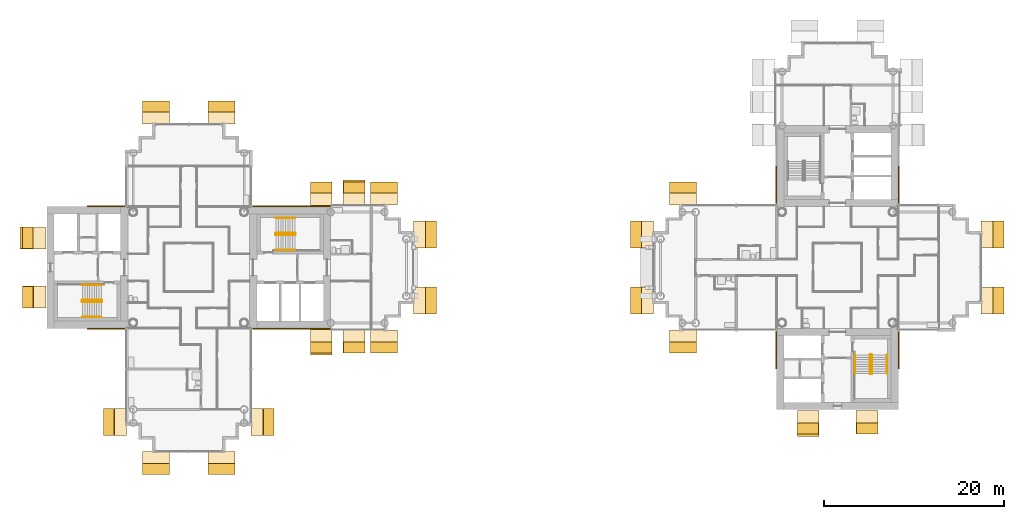
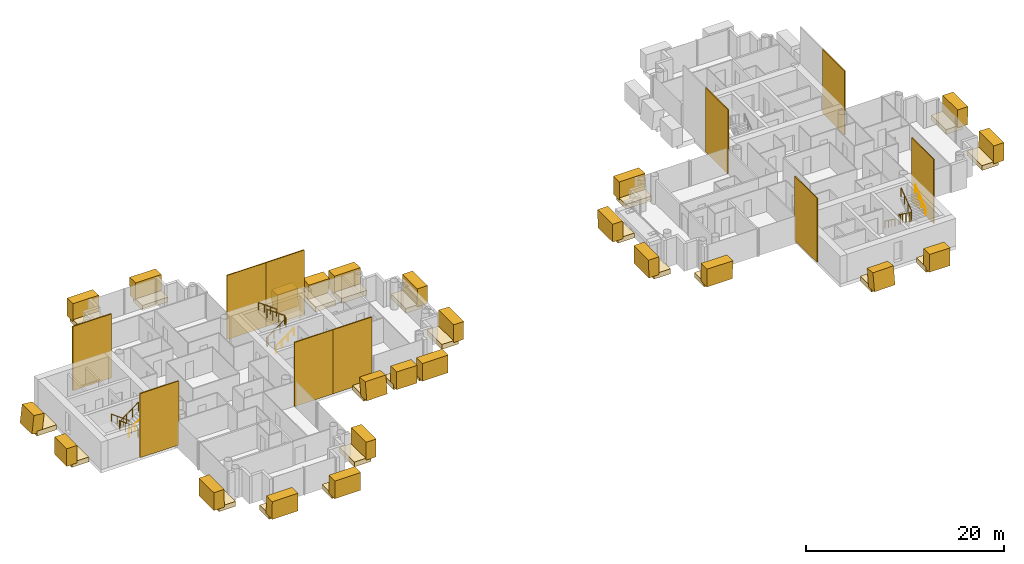
# One storey, part 16 of 18: 58 coverings, 9 railings.
"""IFC4 building model written with IfcOpenShell, lengths in metres."""

from ifc_helpers import new_model, si_unit, direction, frame, origin, origin_2d, place, context, subcontext, project, spatial, rectangle, circle, extrude, material, layer, layer_set, material_profile, profile_set, type_object, element, save


model = new_model("IFC4")

# Units and contexts
model_context = context("Model", 3, precision=1e-05, world=origin(), true_north=direction((0.0, 1.0)))
body_context = subcontext(model_context, "Body", "Model", "MODEL_VIEW")
ifc_project = project(units=[si_unit("LENGTHUNIT", "METRE"), si_unit("AREAUNIT", "SQUARE_METRE"), si_unit("VOLUMEUNIT", "CUBIC_METRE"), si_unit("PLANEANGLEUNIT", "RADIAN"), si_unit("MASSUNIT", "GRAM", prefix="KILO")], contexts=[model_context])

# Site, building, storey
site_placement = place(None, origin())
site = spatial("IfcSite", under=ifc_project, at=site_placement, CompositionType="ELEMENT")
building_placement = place(site_placement, origin())
building = spatial("IfcBuilding", under=site, at=building_placement, Name="Ipe Terrace Towers", CompositionType="ELEMENT")
storey_placement = place(building_placement, frame((0.0, 0.0, 177.89990234375)))
storey = spatial("IfcBuildingStorey", under=building, at=storey_placement, Name="L49", CompositionType="ELEMENT", Elevation=177.89990234375)

# Coverings
ifc_material_1 = material(Name="Concrete C50/60 precast, buff finish", Category="concrete")
ifc_layer = layer(ifc_material_1, 0.1201171875)
ifc_layer_set = layer_set([ifc_layer], Name="STONE CORE CLADDING 120")
covering_type_1 = type_object("IfcCoveringType", Name="STONE CORE CLADDING 120", PredefinedType="CLADDING", material=ifc_layer_set)
for number, where, z_axis, x_axis, name in (
    (1, (-45.0, -6.81005859375, 0.000244140625), (0.0, 0.0, 1.0), (1.0, 0.0, 0.0), "stone core cladding"),
    (2, (-45.0, 6.81005859375, 0.000244140625), (0.0, 0.0, 1.0), (-1.0, 0.0, 0.0), "stone core cladding"),
    (3, (-27.0, -6.81005859375, 0.000244140625), (0.0, 0.0, 1.0), (1.0, 0.0, 0.0), "stone core cladding"),
):
    element("IfcCovering", number, at=place(storey_placement, frame(where, z_axis=z_axis, x_axis=x_axis)), inside=storey, type_object=covering_type_1, Name=name, PredefinedType="CLADDING", context=body_context, shape_type="SweptSolid", body=[
        extrude(rectangle(XDim=4.5, YDim=0.1201171875, at=origin_2d()), origin(), (0.0, 0.0, 1.0), 7.89990234375),
    ])
covering_1_placement = place(storey_placement, frame((-22.4990234375, -6.81005859375, 0.000244140625), z_axis=(0.0, 0.0, 1.0), x_axis=(1.0, 0.0, 0.0)))
element("IfcCovering", 4, at=covering_1_placement, inside=storey, type_object=covering_type_1, Name="stone core cladding", PredefinedType="CLADDING", context=body_context, shape_type="SweptSolid", body=[
    extrude(rectangle(XDim=4.5009765625, YDim=0.1201171875, at=origin_2d()), origin(), (0.0, 0.0, 1.0), 7.89990234375),
])
covering_2_placement = place(storey_placement, frame((-27.0, 6.81005859375, 0.000244140625), z_axis=(0.0, 0.0, 1.0), x_axis=(-1.0, 0.0, 0.0)))
element("IfcCovering", 5, at=covering_2_placement, inside=storey, type_object=covering_type_1, Name="stone core cladding", PredefinedType="CLADDING", context=body_context, shape_type="SweptSolid", body=[
    extrude(rectangle(XDim=4.5, YDim=0.1201171875, at=origin_2d()), origin(), (0.0, 0.0, 1.0), 7.89990234375),
])
covering_3_placement = place(storey_placement, frame((-22.4990234375, 6.81005859375, 0.000244140625), z_axis=(0.0, 0.0, 1.0), x_axis=(-1.0, 0.0, 0.0)))
element("IfcCovering", 6, at=covering_3_placement, inside=storey, type_object=covering_type_1, Name="stone core cladding", PredefinedType="CLADDING", context=body_context, shape_type="SweptSolid", body=[
    extrude(rectangle(XDim=4.5009765625, YDim=0.1201171875, at=origin_2d()), origin(), (0.0, 0.0, 1.0), 7.89990234375),
])
for number, where, z_axis, x_axis, name in (
    (7, (29.18994140625, -9.0, 0.000244140625), (0.0, 0.0, 1.0), (0.0, -1.0, 0.0), "stone core cladding"),
    (8, (29.18994140625, 9.0, 0.000244140625), (0.0, 0.0, 1.0), (0.0, -1.0, 0.0), "stone core cladding"),
    (9, (42.81005859375, -9.0, 0.000244140625), (0.0, 0.0, 1.0), (0.0, 1.0, 0.0), "stone core cladding"),
    (10, (42.81005859375, 9.0, 0.000244140625), (0.0, 0.0, 1.0), (0.0, 1.0, 0.0), "stone core cladding"),
):
    element("IfcCovering", number, at=place(storey_placement, frame(where, z_axis=z_axis, x_axis=x_axis)), inside=storey, type_object=covering_type_1, Name=name, PredefinedType="CLADDING", context=body_context, shape_type="SweptSolid", body=[
        extrude(rectangle(XDim=4.5, YDim=0.1201171875, at=origin_2d()), origin(), (0.0, 0.0, 1.0), 7.89990234375),
    ])
ifc_material_2 = material(Name="Concrete C50/60 precast, buff finish", Category="concrete")
ifc_material_profile_1 = material_profile(ifc_material_2, rectangle(XDim=2.39990234375, YDim=1.199951171875, at=origin_2d()), Name="STONE FIN 2400 x 1200")
ifc_profile_set_1 = profile_set([ifc_material_profile_1], Name="Concrete C50/60 precast, buff finish")
covering_type_2 = type_object("IfcCoveringType", Name="STONE FIN 2400 x 1200", PredefinedType="USERDEFINED", material=ifc_profile_set_1)
covering_4_placement = place(storey_placement, frame((-21.282958984375, -9.1279296875, 0.0), z_axis=(-0.007714409402, 0.116377376115, 0.993175107529), x_axis=(0.999970243501, 0.000897809448, 0.00766198738)))
element("IfcCovering", 11, at=covering_4_placement, inside=storey, type_object=covering_type_2, Name="stone fin", ObjectType="FIN", PredefinedType="USERDEFINED", context=body_context, shape_type="SweptSolid", body=[
    extrude(rectangle(XDim=2.39990234375, YDim=1.199951171875, at=origin_2d()), origin(), (0.0, 0.0, 1.0), 2.21533203125),
])
for number, where, z_axis, x_axis, name in (
    (12, (-21.282958984375, 8.847900390625, 0.0), (-0.007766790985, 0.01009682828, 0.999918862217), (-0.999969838024, -7.8422315e-05, -0.007766395054), "stone fin"),
    (13, (-17.6669921875, -8.847900390625, 0.0), (0.007766790985, -0.01009682828, 0.999918862217), (0.999969838024, 7.8422315e-05, -0.007766395054), "stone fin"),
):
    element("IfcCovering", number, at=place(storey_placement, frame(where, z_axis=z_axis, x_axis=x_axis)), inside=storey, type_object=covering_type_2, Name=name, ObjectType="FIN", PredefinedType="USERDEFINED", context=body_context, shape_type="SweptSolid", body=[
        extrude(rectangle(XDim=2.39990234375, YDim=1.199951171875, at=origin_2d()), origin(), (0.0, 0.0, 1.0), 2.200439453125),
    ])
covering_5_placement = place(storey_placement, frame((-17.6669921875, 9.1279296875, 0.0), z_axis=(0.007714409402, -0.116377376115, 0.993175107529), x_axis=(-0.999970243501, -0.000897809448, 0.00766198738)))
element("IfcCovering", 14, at=covering_5_placement, inside=storey, type_object=covering_type_2, Name="stone fin", ObjectType="FIN", PredefinedType="USERDEFINED", context=body_context, shape_type="SweptSolid", body=[
    extrude(rectangle(XDim=2.39990234375, YDim=1.199951171875, at=origin_2d()), origin(), (0.0, 0.0, 1.0), 2.21533203125),
])
covering_6_placement = place(storey_placement, frame((-54.1279296875, 3.26904296875, 0.0), z_axis=(0.116369441159, 0.013995188473, 0.993107389895), x_axis=(0.001628771776, -0.999902062554, 0.013900086435)))
element("IfcCovering", 15, at=covering_6_placement, inside=storey, type_object=covering_type_2, Name="stone fin", ObjectType="FIN", PredefinedType="USERDEFINED", context=body_context, shape_type="SweptSolid", body=[
    extrude(rectangle(XDim=2.39990234375, YDim=1.199951171875, at=origin_2d()), origin(), (0.0, 0.0, 1.0), 2.215576171875),
])
for number, where, z_axis, x_axis, name in (
    (16, (-53.847900390625, -3.26904296875, 0.0), (-0.010096130469, -0.014090204061, 0.999849755863), (0.00014227066, -0.999900728147, -0.014089485779), "stone fin"),
    (17, (39.26904296875, -17.847900390625, 0.0), (0.014090204061, -0.010096130469, 0.999849755863), (0.999900728147, 0.00014227066, -0.014089485779), "stone fin"),
):
    element("IfcCovering", number, at=place(storey_placement, frame(where, z_axis=z_axis, x_axis=x_axis)), inside=storey, type_object=covering_type_2, Name=name, ObjectType="FIN", PredefinedType="USERDEFINED", context=body_context, shape_type="SweptSolid", body=[
        extrude(rectangle(XDim=2.39990234375, YDim=1.199951171875, at=origin_2d()), origin(), (0.0, 0.0, 1.0), 2.200439453125),
    ])
covering_7_placement = place(storey_placement, frame((32.73095703125, -18.1279296875, 0.0), z_axis=(-0.013995188473, 0.116369441159, 0.993107389895), x_axis=(0.999902062554, 0.001628771776, 0.013900086435)))
element("IfcCovering", 18, at=covering_7_placement, inside=storey, type_object=covering_type_2, Name="stone fin", ObjectType="FIN", PredefinedType="USERDEFINED", context=body_context, shape_type="SweptSolid", body=[
    extrude(rectangle(XDim=2.39990234375, YDim=1.199951171875, at=origin_2d()), origin(), (0.0, 0.0, 1.0), 2.215576171875),
])
ifc_material_3 = material(Name="Concrete C50/60 precast, buff finish", Category="concrete")
ifc_material_profile_2 = material_profile(ifc_material_3, rectangle(XDim=3.0, YDim=1.199951171875, at=origin_2d()), Name="STONE FIN CORNER 3000 x 1200")
ifc_profile_set_2 = profile_set([ifc_material_profile_2], Name="Concrete C50/60 precast, buff finish")
covering_type_3 = type_object("IfcCoveringType", Name="STONE FIN CORNER 3000 x 1200", PredefinedType="USERDEFINED", material=ifc_profile_set_2)
for number, where, z_axis, x_axis, name in (
    (19, (-9.152099609375, -3.64990234375, 0.0), (0.01009713283, 0.0, 0.999949022655), (0.0, 1.0, 0.0), "stone fin"),
    (20, (-9.152099609375, 3.64990234375, 0.0), (0.01009713283, 0.0, 0.999949022655), (0.0, 1.0, 0.0), "stone fin"),
    (21, (-14.35009765625, -8.847900390625, 0.0), (0.0, -0.01009713283, 0.999949022655), (1.0, 0.0, 0.0), "stone fin"),
    (22, (-14.35009765625, 8.847900390625, 0.0), (0.0, 0.01009713283, 0.999949022655), (-1.0, 0.0, 0.0), "stone fin"),
    (23, (-27.152099609375, -17.14990234375, 0.0), (0.01009713283, 0.0, 0.999949022655), (0.0, 1.0, 0.0), "stone fin"),
    (24, (-32.35009765625, -22.347900390625, 0.0), (0.0, -0.01009713283, 0.999949022655), (1.0, 0.0, 0.0), "stone fin"),
    (25, (-32.35009765625, 17.847900390625, 0.0), (0.0, 0.01009713283, 0.999949022655), (-1.0, 0.0, 0.0), "stone fin"),
    (26, (-39.64990234375, -22.347900390625, 0.0), (0.0, -0.01009713283, 0.999949022655), (1.0, 0.0, 0.0), "stone fin"),
    (27, (-39.64990234375, 17.847900390625, 0.0), (0.0, 0.01009713283, 0.999949022655), (-1.0, 0.0, 0.0), "stone fin"),
    (28, (-44.847900390625, -17.14990234375, 0.0), (-0.01009713283, 0.0, 0.999949022655), (0.0, -1.0, 0.0), "stone fin"),
    (29, (13.652099609375, -3.64990234375, 0.0), (-0.01009713283, 0.0, 0.999949022655), (0.0, -1.0, 0.0), "stone fin"),
    (30, (13.652099609375, 3.64990234375, 0.0), (-0.01009713283, 0.0, 0.999949022655), (0.0, -1.0, 0.0), "stone fin"),
    (31, (18.85009765625, -8.847900390625, 0.0), (0.0, -0.01009713283, 0.999949022655), (1.0, 0.0, 0.0), "stone fin"),
    (32, (18.85009765625, 8.847900390625, 0.0), (0.0, 0.01009713283, 0.999949022655), (-1.0, 0.0, 0.0), "stone fin"),
    (33, (53.847900390625, -3.64990234375, 0.0), (0.01009713283, 0.0, 0.999949022655), (0.0, 1.0, 0.0), "stone fin"),
    (34, (53.847900390625, 3.64990234375, 0.0), (0.01009713283, 0.0, 0.999949022655), (0.0, 1.0, 0.0), "stone fin"),
):
    element("IfcCovering", number, at=place(storey_placement, frame(where, z_axis=z_axis, x_axis=x_axis)), inside=storey, type_object=covering_type_3, Name=name, ObjectType="FIN", PredefinedType="USERDEFINED", context=body_context, shape_type="SweptSolid", body=[
        extrude(rectangle(XDim=3.0, YDim=1.199951171875, at=origin_2d()), origin(), (0.0, 0.0, 1.0), 2.2001953125),
    ])
ifc_material_4 = material(Name="Concrete C50/60 precast, buff finish", Category="concrete")
covering_type_4 = type_object("IfcCoveringType", Name="STONE FIN SHELF 2400 x 600", PredefinedType="CLADDING", material=ifc_material_4)
covering_8_placement = place(storey_placement, frame((-21.282958984375, -7.993896484375, -0.349853515625), z_axis=(0.0, 0.0, 1.0), x_axis=(1.0, 0.0, 0.0)))
element("IfcCovering", 35, at=covering_8_placement, inside=storey, type_object=covering_type_4, Name="stone fin shelf", PredefinedType="CLADDING", context=body_context, shape_type="SweptSolid", body=[
    extrude(rectangle(XDim=2.39990234375, YDim=2.26806640625, at=origin_2d()), origin(), (0.0, 0.0, 1.0), 0.60009765625),
])
covering_9_placement = place(storey_placement, frame((-21.282958984375, 7.85400390625, -0.349853515625), z_axis=(0.0, 0.0, 1.0), x_axis=(-1.0, 0.0, 0.0)))
element("IfcCovering", 36, at=covering_9_placement, inside=storey, type_object=covering_type_4, Name="stone fin shelf", PredefinedType="CLADDING", context=body_context, shape_type="SweptSolid", body=[
    extrude(rectangle(XDim=2.39990234375, YDim=1.988037109375, at=origin_2d()), origin(), (0.0, 0.0, 1.0), 0.60009765625),
])
covering_10_placement = place(storey_placement, frame((-17.6669921875, -7.882080078125, -0.349853515625), z_axis=(0.0, 0.0, 1.0), x_axis=(1.0, 0.0, 0.0)))
element("IfcCovering", 37, at=covering_10_placement, inside=storey, type_object=covering_type_4, Name="stone fin shelf", PredefinedType="CLADDING", context=body_context, shape_type="SweptSolid", body=[
    extrude(rectangle(XDim=2.39990234375, YDim=1.931884765625, at=origin_2d()), origin(), (0.0, 0.0, 1.0), 0.60009765625),
])
covering_11_placement = place(storey_placement, frame((-17.6669921875, 8.02197265625, -0.349853515625), z_axis=(0.0, 0.0, 1.0), x_axis=(-1.0, 0.0, 0.0)))
element("IfcCovering", 38, at=covering_11_placement, inside=storey, type_object=covering_type_4, Name="stone fin shelf", PredefinedType="CLADDING", context=body_context, shape_type="SweptSolid", body=[
    extrude(rectangle(XDim=2.39990234375, YDim=2.2119140625, at=origin_2d()), origin(), (0.0, 0.0, 1.0), 0.60009765625),
])
covering_12_placement = place(storey_placement, frame((-52.993896484375, 3.26904296875, -0.349853515625), z_axis=(0.0, 0.0, 1.0), x_axis=(0.0, -1.0, 0.0)))
element("IfcCovering", 39, at=covering_12_placement, inside=storey, type_object=covering_type_4, Name="stone fin shelf", PredefinedType="CLADDING", context=body_context, shape_type="SweptSolid", body=[
    extrude(rectangle(XDim=2.39990234375, YDim=2.26806640625, at=origin_2d()), origin(), (0.0, 0.0, 1.0), 0.60009765625),
])
for number, where, z_axis, x_axis, name in (
    (40, (-52.85400390625, -3.26904296875, -0.349853515625), (0.0, 0.0, 1.0), (0.0, -1.0, 0.0), "stone fin shelf"),
    (41, (39.26904296875, -16.85400390625, -0.349853515625), (0.0, 0.0, 1.0), (1.0, 0.0, 0.0), "stone fin shelf"),
):
    element("IfcCovering", number, at=place(storey_placement, frame(where, z_axis=z_axis, x_axis=x_axis)), inside=storey, type_object=covering_type_4, Name=name, PredefinedType="CLADDING", context=body_context, shape_type="SweptSolid", body=[
        extrude(rectangle(XDim=2.39990234375, YDim=1.988037109375, at=origin_2d()), origin(), (0.0, 0.0, 1.0), 0.60009765625),
    ])
covering_13_placement = place(storey_placement, frame((32.73095703125, -16.993896484375, -0.349853515625), z_axis=(0.0, 0.0, 1.0), x_axis=(1.0, 0.0, 0.0)))
element("IfcCovering", 42, at=covering_13_placement, inside=storey, type_object=covering_type_4, Name="stone fin shelf", PredefinedType="CLADDING", context=body_context, shape_type="SweptSolid", body=[
    extrude(rectangle(XDim=2.39990234375, YDim=2.26806640625, at=origin_2d()), origin(), (0.0, 0.0, 1.0), 0.60009765625),
])
ifc_material_5 = material(Name="Concrete C50/60 precast, buff finish", Category="concrete")
covering_type_5 = type_object("IfcCoveringType", Name="STONE FIN SHELF 3000 x 600", PredefinedType="CLADDING", material=ifc_material_5)
for number, where, z_axis, x_axis, name in (
    (43, (-10.117919921875, -3.64990234375, -0.349853515625), (0.0, 0.0, 1.0), (0.0, 1.0, 0.0), "stone fin shelf"),
    (44, (-10.117919921875, 3.64990234375, -0.349853515625), (0.0, 0.0, 1.0), (0.0, 1.0, 0.0), "stone fin shelf"),
    (45, (-14.35009765625, -7.882080078125, -0.349853515625), (0.0, 0.0, 1.0), (1.0, 0.0, 0.0), "stone fin shelf"),
    (46, (-14.35009765625, 7.882080078125, -0.349853515625), (0.0, 0.0, 1.0), (-1.0, 0.0, 0.0), "stone fin shelf"),
    (47, (-28.117919921875, -17.14990234375, -0.349853515625), (0.0, 0.0, 1.0), (0.0, 1.0, 0.0), "stone fin shelf"),
    (48, (-32.35009765625, -21.382080078125, -0.349853515625), (0.0, 0.0, 1.0), (1.0, 0.0, 0.0), "stone fin shelf"),
    (49, (-32.35009765625, 16.882080078125, -0.349853515625), (0.0, 0.0, 1.0), (-1.0, 0.0, 0.0), "stone fin shelf"),
    (50, (-39.64990234375, -21.382080078125, -0.349853515625), (0.0, 0.0, 1.0), (1.0, 0.0, 0.0), "stone fin shelf"),
    (51, (-39.64990234375, 16.882080078125, -0.349853515625), (0.0, 0.0, 1.0), (-1.0, 0.0, 0.0), "stone fin shelf"),
    (52, (-43.882080078125, -17.14990234375, -0.349853515625), (0.0, 0.0, 1.0), (0.0, -1.0, 0.0), "stone fin shelf"),
    (53, (14.617919921875, -3.64990234375, -0.349853515625), (0.0, 0.0, 1.0), (0.0, -1.0, 0.0), "stone fin shelf"),
    (54, (14.617919921875, 3.64990234375, -0.349853515625), (0.0, 0.0, 1.0), (0.0, -1.0, 0.0), "stone fin shelf"),
    (55, (18.85009765625, -7.882080078125, -0.349853515625), (0.0, 0.0, 1.0), (1.0, 0.0, 0.0), "stone fin shelf"),
    (56, (18.85009765625, 7.882080078125, -0.349853515625), (0.0, 0.0, 1.0), (-1.0, 0.0, 0.0), "stone fin shelf"),
    (57, (52.882080078125, -3.64990234375, -0.349853515625), (0.0, 0.0, 1.0), (0.0, 1.0, 0.0), "stone fin shelf"),
    (58, (52.882080078125, 3.64990234375, -0.349853515625), (0.0, 0.0, 1.0), (0.0, 1.0, 0.0), "stone fin shelf"),
):
    element("IfcCovering", number, at=place(storey_placement, frame(where, z_axis=z_axis, x_axis=x_axis)), inside=storey, type_object=covering_type_5, Name=name, PredefinedType="CLADDING", context=body_context, shape_type="SweptSolid", body=[
        extrude(rectangle(XDim=3.0, YDim=1.931884765625, at=origin_2d()), origin(), (0.0, 0.0, 1.0), 0.60009765625),
    ])

# Railings
ifc_material_6 = material(Name="Steel S355", Category="steel")
railing_type_1 = type_object("IfcRailingType", Name="Stair guard 1100", PredefinedType="GUARDRAIL", material=ifc_material_6)
railing_1_placement = place(storey_placement, frame((-26.35009765625, 3.800048828125, 0.0)))
element("IfcRailing", 59, at=railing_1_placement, inside=storey, type_object=railing_type_1, Name="L49 T1-ST1 stair guard 1", PredefinedType="GUARDRAIL", context=body_context, shape_type="SweptSolid", body=[
    extrude(circle(Radius=0.02392578125, at=origin_2d()), frame((0.0, 0.0, 1.076171875), z_axis=(0.0, -1.0, 0.0), x_axis=(1.0, 0.0, 0.0)), (0.0, 0.0, 1.0), 0.150146484375),
    extrude(circle(Radius=0.02392578125, at=origin_2d()), frame((0.0, -0.150146484375, 1.076171875), z_axis=(0.248103849378, -0.246893586699, 0.936743314239), x_axis=(0.705375805398, 0.708833529934, 0.0)), (0.0, 0.0, 1.0), 0.20166015625),
    extrude(circle(Radius=0.02392578125, at=origin_2d()), frame((0.050048828125, -0.199951171875, 1.26513671875), z_axis=(0.809023421508, 0.0, 0.587776406001), x_axis=(0.0, 1.0, 0.0)), (0.0, 0.0, 1.0), 2.571044921875),
    extrude(circle(Radius=0.02392578125, at=origin_2d()), frame((2.130126953125, -0.199951171875, 2.7763671875), z_axis=(0.708833529934, 0.705375805398, 0.0), x_axis=(-0.705375805398, 0.708833529934, 0.0)), (0.0, 0.0, 1.0), 0.070556640625),
    extrude(circle(Radius=0.02392578125, at=origin_2d()), frame((2.18017578125, -0.150146484375, 2.7763671875), z_axis=(0.0, 1.0, 0.0), x_axis=(-1.0, 0.0, 0.0)), (0.0, 0.0, 1.0), 0.150146484375),
    extrude(circle(Radius=0.02392578125, at=origin_2d()), frame((2.18017578125, 0.0, 2.7763671875), z_axis=(-0.248310886586, 0.248310886586, 0.936313733321), x_axis=(-0.707106781187, -0.707106781187, 0.0)), (0.0, 0.0, 1.0), 0.20166015625),
    extrude(circle(Radius=0.02392578125, at=origin_2d()), frame((2.130126953125, 0.050048828125, 2.96484375), z_axis=(-0.809023421508, 0.0, 0.587776406001), x_axis=(0.0, -1.0, 0.0)), (0.0, 0.0, 1.0), 2.571044921875),
    extrude(circle(Radius=0.02099609375, at=origin_2d()), origin(), (0.0, 0.0, 1.0), 1.052001953125),
    extrude(circle(Radius=0.02099609375, at=origin_2d()), frame((0.0, -0.150146484375, 0.0)), (0.0, 0.0, 1.0), 1.052001953125),
    extrude(circle(Radius=0.02099609375, at=origin_2d()), frame((0.050048828125, -0.199951171875, 0.18896484375)), (0.0, 0.0, 1.0), 1.052001953125),
    extrude(circle(Radius=0.02099609375, at=origin_2d()), frame((0.743408203125, -0.199951171875, 0.692626953125)), (0.0, 0.0, 1.0), 1.052001953125),
    extrude(circle(Radius=0.02099609375, at=origin_2d()), frame((1.436767578125, -0.199951171875, 1.196533203125)), (0.0, 0.0, 1.0), 1.052001953125),
    extrude(circle(Radius=0.02099609375, at=origin_2d()), frame((2.130126953125, -0.199951171875, 1.7001953125)), (0.0, 0.0, 1.0), 1.052001953125),
    extrude(circle(Radius=0.02099609375, at=origin_2d()), frame((2.18017578125, -0.150146484375, 1.7001953125)), (0.0, 0.0, 1.0), 1.052001953125),
    extrude(circle(Radius=0.02099609375, at=origin_2d()), frame((2.18017578125, 0.0, 1.7001953125)), (0.0, 0.0, 1.0), 1.052001953125),
    extrude(circle(Radius=0.02099609375, at=origin_2d()), frame((2.130126953125, 0.050048828125, 1.888916015625)), (0.0, 0.0, 1.0), 1.052001953125),
    extrude(circle(Radius=0.02099609375, at=origin_2d()), frame((1.436767578125, 0.050048828125, 2.392578125)), (0.0, 0.0, 1.0), 1.052001953125),
    extrude(circle(Radius=0.02099609375, at=origin_2d()), frame((0.743408203125, 0.050048828125, 2.896484375)), (0.0, 0.0, 1.0), 1.052001953125),
    extrude(circle(Radius=0.02099609375, at=origin_2d()), frame((0.050048828125, 0.050048828125, 3.400146484375)), (0.0, 0.0, 1.0), 1.052001953125),
])
railing_2_placement = place(storey_placement, frame((-45.64990234375, -3.800048828125, 0.0)))
element("IfcRailing", 60, at=railing_2_placement, inside=storey, type_object=railing_type_1, Name="L49 T1-ST2 stair guard 1", PredefinedType="GUARDRAIL", context=body_context, shape_type="SweptSolid", body=[
    extrude(circle(Radius=0.02392578125, at=origin_2d()), frame((0.0, 0.0, 1.076171875), z_axis=(0.0, 1.0, 0.0), x_axis=(-1.0, 0.0, 0.0)), (0.0, 0.0, 1.0), 0.150146484375),
    extrude(circle(Radius=0.02392578125, at=origin_2d()), frame((0.0, 0.150146484375, 1.076171875), z_axis=(-0.248103849378, 0.246893586699, 0.936743314239), x_axis=(-0.705375805398, -0.708833529934, 0.0)), (0.0, 0.0, 1.0), 0.20166015625),
    extrude(circle(Radius=0.02392578125, at=origin_2d()), frame((-0.050048828125, 0.199951171875, 1.26513671875), z_axis=(-0.809023421508, 0.0, 0.587776406001), x_axis=(0.0, -1.0, 0.0)), (0.0, 0.0, 1.0), 2.571044921875),
    extrude(circle(Radius=0.02392578125, at=origin_2d()), frame((-2.130126953125, 0.199951171875, 2.7763671875), z_axis=(-0.708833529934, -0.705375805398, 0.0), x_axis=(0.705375805398, -0.708833529934, 0.0)), (0.0, 0.0, 1.0), 0.070556640625),
    extrude(circle(Radius=0.02392578125, at=origin_2d()), frame((-2.18017578125, 0.150146484375, 2.7763671875), z_axis=(0.0, -1.0, 0.0), x_axis=(1.0, 0.0, 0.0)), (0.0, 0.0, 1.0), 0.150146484375),
    extrude(circle(Radius=0.02392578125, at=origin_2d()), frame((-2.18017578125, 0.0, 2.7763671875), z_axis=(0.248310886586, -0.248310886586, 0.936313733321), x_axis=(0.707106781187, 0.707106781187, 0.0)), (0.0, 0.0, 1.0), 0.20166015625),
    extrude(circle(Radius=0.02392578125, at=origin_2d()), frame((-2.130126953125, -0.050048828125, 2.96484375), z_axis=(0.809023421508, 0.0, 0.587776406001), x_axis=(0.0, 1.0, 0.0)), (0.0, 0.0, 1.0), 2.571044921875),
    extrude(circle(Radius=0.02099609375, at=origin_2d()), origin(), (0.0, 0.0, 1.0), 1.052001953125),
    extrude(circle(Radius=0.02099609375, at=origin_2d()), frame((0.0, 0.150146484375, 0.0)), (0.0, 0.0, 1.0), 1.052001953125),
    extrude(circle(Radius=0.02099609375, at=origin_2d()), frame((-0.050048828125, 0.199951171875, 0.18896484375)), (0.0, 0.0, 1.0), 1.052001953125),
    extrude(circle(Radius=0.02099609375, at=origin_2d()), frame((-0.743408203125, 0.199951171875, 0.692626953125)), (0.0, 0.0, 1.0), 1.052001953125),
    extrude(circle(Radius=0.02099609375, at=origin_2d()), frame((-1.436767578125, 0.199951171875, 1.196533203125)), (0.0, 0.0, 1.0), 1.052001953125),
    extrude(circle(Radius=0.02099609375, at=origin_2d()), frame((-2.130126953125, 0.199951171875, 1.7001953125)), (0.0, 0.0, 1.0), 1.052001953125),
    extrude(circle(Radius=0.02099609375, at=origin_2d()), frame((-2.18017578125, 0.150146484375, 1.7001953125)), (0.0, 0.0, 1.0), 1.052001953125),
    extrude(circle(Radius=0.02099609375, at=origin_2d()), frame((-2.18017578125, 0.0, 1.7001953125)), (0.0, 0.0, 1.0), 1.052001953125),
    extrude(circle(Radius=0.02099609375, at=origin_2d()), frame((-2.130126953125, -0.050048828125, 1.888916015625)), (0.0, 0.0, 1.0), 1.052001953125),
    extrude(circle(Radius=0.02099609375, at=origin_2d()), frame((-1.436767578125, -0.050048828125, 2.392578125)), (0.0, 0.0, 1.0), 1.052001953125),
    extrude(circle(Radius=0.02099609375, at=origin_2d()), frame((-0.743408203125, -0.050048828125, 2.896484375)), (0.0, 0.0, 1.0), 1.052001953125),
    extrude(circle(Radius=0.02099609375, at=origin_2d()), frame((-0.050048828125, -0.050048828125, 3.400146484375)), (0.0, 0.0, 1.0), 1.052001953125),
])
railing_3_placement = place(storey_placement, frame((39.800048828125, -9.64990234375, 0.0)))
element("IfcRailing", 61, at=railing_3_placement, inside=storey, type_object=railing_type_1, Name="L49 T2-ST2 stair guard 1", PredefinedType="GUARDRAIL", context=body_context, shape_type="SweptSolid", body=[
    extrude(circle(Radius=0.02392578125, at=origin_2d()), frame((0.0, 0.0, 1.076171875), z_axis=(-1.0, 0.0, 0.0), x_axis=(0.0, -1.0, 0.0)), (0.0, 0.0, 1.0), 0.150146484375),
    extrude(circle(Radius=0.02392578125, at=origin_2d()), frame((-0.150146484375, 0.0, 1.076171875), z_axis=(-0.246893586699, -0.248103849378, 0.936743314239), x_axis=(0.708833529934, -0.705375805398, 0.0)), (0.0, 0.0, 1.0), 0.20166015625),
    extrude(circle(Radius=0.02392578125, at=origin_2d()), frame((-0.199951171875, -0.050048828125, 1.26513671875), z_axis=(0.0, -0.809023421508, 0.587776406001), x_axis=(1.0, 0.0, 0.0)), (0.0, 0.0, 1.0), 2.571044921875),
    extrude(circle(Radius=0.02392578125, at=origin_2d()), frame((-0.199951171875, -2.130126953125, 2.7763671875), z_axis=(0.705375805398, -0.708833529934, 0.0), x_axis=(0.708833529934, 0.705375805398, 0.0)), (0.0, 0.0, 1.0), 0.070556640625),
    extrude(circle(Radius=0.02392578125, at=origin_2d()), frame((-0.150146484375, -2.18017578125, 2.7763671875), z_axis=(1.0, 0.0, 0.0), x_axis=(0.0, 1.0, 0.0)), (0.0, 0.0, 1.0), 0.150146484375),
    extrude(circle(Radius=0.02392578125, at=origin_2d()), frame((0.0, -2.18017578125, 2.7763671875), z_axis=(0.248310886586, 0.248310886586, 0.936313733321), x_axis=(-0.707106781187, 0.707106781187, 0.0)), (0.0, 0.0, 1.0), 0.20166015625),
    extrude(circle(Radius=0.02392578125, at=origin_2d()), frame((0.050048828125, -2.130126953125, 2.96484375), z_axis=(0.0, 0.809023421508, 0.587776406001), x_axis=(-1.0, 0.0, 0.0)), (0.0, 0.0, 1.0), 2.571044921875),
    extrude(circle(Radius=0.02099609375, at=origin_2d()), origin(), (0.0, 0.0, 1.0), 1.052001953125),
    extrude(circle(Radius=0.02099609375, at=origin_2d()), frame((-0.150146484375, 0.0, 0.0)), (0.0, 0.0, 1.0), 1.052001953125),
    extrude(circle(Radius=0.02099609375, at=origin_2d()), frame((-0.199951171875, -0.050048828125, 0.18896484375)), (0.0, 0.0, 1.0), 1.052001953125),
    extrude(circle(Radius=0.02099609375, at=origin_2d()), frame((-0.199951171875, -0.743408203125, 0.692626953125)), (0.0, 0.0, 1.0), 1.052001953125),
    extrude(circle(Radius=0.02099609375, at=origin_2d()), frame((-0.199951171875, -1.436767578125, 1.196533203125)), (0.0, 0.0, 1.0), 1.052001953125),
    extrude(circle(Radius=0.02099609375, at=origin_2d()), frame((-0.199951171875, -2.130126953125, 1.7001953125)), (0.0, 0.0, 1.0), 1.052001953125),
    extrude(circle(Radius=0.02099609375, at=origin_2d()), frame((-0.150146484375, -2.18017578125, 1.7001953125)), (0.0, 0.0, 1.0), 1.052001953125),
    extrude(circle(Radius=0.02099609375, at=origin_2d()), frame((0.0, -2.18017578125, 1.7001953125)), (0.0, 0.0, 1.0), 1.052001953125),
    extrude(circle(Radius=0.02099609375, at=origin_2d()), frame((0.050048828125, -2.130126953125, 1.888916015625)), (0.0, 0.0, 1.0), 1.052001953125),
    extrude(circle(Radius=0.02099609375, at=origin_2d()), frame((0.050048828125, -1.436767578125, 2.392578125)), (0.0, 0.0, 1.0), 1.052001953125),
    extrude(circle(Radius=0.02099609375, at=origin_2d()), frame((0.050048828125, -0.743408203125, 2.896484375)), (0.0, 0.0, 1.0), 1.052001953125),
    extrude(circle(Radius=0.02099609375, at=origin_2d()), frame((0.050048828125, -0.050048828125, 3.400146484375)), (0.0, 0.0, 1.0), 1.052001953125),
])
ifc_material_7 = material(Name="Stainless steel grade 304", Category="steel")
railing_type_2 = type_object("IfcRailingType", Name="Stair handrail 900", PredefinedType="HANDRAIL", material=ifc_material_7)
railing_4_placement = place(storey_placement, frame((-26.300048828125, 1.949951171875, 0.18896484375)))
element("IfcRailing", 62, at=railing_4_placement, inside=storey, type_object=railing_type_2, Name="L49 T1-ST1 stair handrail 1", PredefinedType="HANDRAIL", context=body_context, shape_type="SweptSolid", body=[
    extrude(circle(Radius=0.02392578125, at=origin_2d()), frame((0.0, 0.0, 0.8759765625), z_axis=(0.809023421508, 0.0, 0.587776406001), x_axis=(0.0, 1.0, 0.0)), (0.0, 0.0, 1.0), 2.571044921875),
    extrude(circle(Radius=0.02099609375, at=origin_2d()), origin(), (0.0, 0.0, 1.0), 0.851806640625),
    extrude(circle(Radius=0.02099609375, at=origin_2d()), frame((0.693359375, 0.0, 0.503662109375)), (0.0, 0.0, 1.0), 0.851806640625),
    extrude(circle(Radius=0.02099609375, at=origin_2d()), frame((1.38671875, 0.0, 1.007568359375)), (0.0, 0.0, 1.0), 0.851806640625),
    extrude(circle(Radius=0.02099609375, at=origin_2d()), frame((2.080078125, 0.0, 1.51123046875)), (0.0, 0.0, 1.0), 0.851806640625),
])
for number, where, name in (
    (63, (-24.219970703125, 5.5, 1.888916015625), "L49 T1-ST1 stair handrail 2"),
    (64, (-45.699951171875, -1.949951171875, 0.18896484375), "L49 T1-ST2 stair handrail 1"),
):
    element("IfcRailing", number, at=place(storey_placement, frame(where)), inside=storey, type_object=railing_type_2, Name=name, PredefinedType="HANDRAIL", context=body_context, shape_type="SweptSolid", body=[
        extrude(circle(Radius=0.02392578125, at=origin_2d()), frame((0.0, 0.0, 0.8759765625), z_axis=(-0.809023421508, 0.0, 0.587776406001), x_axis=(0.0, -1.0, 0.0)), (0.0, 0.0, 1.0), 2.571044921875),
        extrude(circle(Radius=0.02099609375, at=origin_2d()), origin(), (0.0, 0.0, 1.0), 0.851806640625),
        extrude(circle(Radius=0.02099609375, at=origin_2d()), frame((-0.693359375, 0.0, 0.503662109375)), (0.0, 0.0, 1.0), 0.851806640625),
        extrude(circle(Radius=0.02099609375, at=origin_2d()), frame((-1.38671875, 0.0, 1.007568359375)), (0.0, 0.0, 1.0), 0.851806640625),
        extrude(circle(Radius=0.02099609375, at=origin_2d()), frame((-2.080078125, 0.0, 1.51123046875)), (0.0, 0.0, 1.0), 0.851806640625),
    ])
railing_5_placement = place(storey_placement, frame((-47.780029296875, -5.5, 1.888916015625)))
element("IfcRailing", 65, at=railing_5_placement, inside=storey, type_object=railing_type_2, Name="L49 T1-ST2 stair handrail 2", PredefinedType="HANDRAIL", context=body_context, shape_type="SweptSolid", body=[
    extrude(circle(Radius=0.02392578125, at=origin_2d()), frame((0.0, 0.0, 0.8759765625), z_axis=(0.809023421508, 0.0, 0.587776406001), x_axis=(0.0, 1.0, 0.0)), (0.0, 0.0, 1.0), 2.571044921875),
    extrude(circle(Radius=0.02099609375, at=origin_2d()), origin(), (0.0, 0.0, 1.0), 0.851806640625),
    extrude(circle(Radius=0.02099609375, at=origin_2d()), frame((0.693359375, 0.0, 0.503662109375)), (0.0, 0.0, 1.0), 0.851806640625),
    extrude(circle(Radius=0.02099609375, at=origin_2d()), frame((1.38671875, 0.0, 1.007568359375)), (0.0, 0.0, 1.0), 0.851806640625),
    extrude(circle(Radius=0.02099609375, at=origin_2d()), frame((2.080078125, 0.0, 1.51123046875)), (0.0, 0.0, 1.0), 0.851806640625),
])
railing_6_placement = place(storey_placement, frame((37.949951171875, -9.699951171875, 0.18896484375)))
element("IfcRailing", 66, at=railing_6_placement, inside=storey, type_object=railing_type_2, Name="L49 T2-ST2 stair handrail 1", PredefinedType="HANDRAIL", context=body_context, shape_type="SweptSolid", body=[
    extrude(circle(Radius=0.02392578125, at=origin_2d()), frame((0.0, 0.0, 0.8759765625), z_axis=(0.0, -0.809023421508, 0.587776406001), x_axis=(1.0, 0.0, 0.0)), (0.0, 0.0, 1.0), 2.571044921875),
    extrude(circle(Radius=0.02099609375, at=origin_2d()), origin(), (0.0, 0.0, 1.0), 0.851806640625),
    extrude(circle(Radius=0.02099609375, at=origin_2d()), frame((0.0, -0.693359375, 0.503662109375)), (0.0, 0.0, 1.0), 0.851806640625),
    extrude(circle(Radius=0.02099609375, at=origin_2d()), frame((0.0, -1.38671875, 1.007568359375)), (0.0, 0.0, 1.0), 0.851806640625),
    extrude(circle(Radius=0.02099609375, at=origin_2d()), frame((0.0, -2.080078125, 1.51123046875)), (0.0, 0.0, 1.0), 0.851806640625),
])
railing_7_placement = place(storey_placement, frame((41.5, -11.780029296875, 1.888916015625)))
element("IfcRailing", 67, at=railing_7_placement, inside=storey, type_object=railing_type_2, Name="L49 T2-ST2 stair handrail 2", PredefinedType="HANDRAIL", context=body_context, shape_type="SweptSolid", body=[
    extrude(circle(Radius=0.02392578125, at=origin_2d()), frame((0.0, 0.0, 0.8759765625), z_axis=(0.0, 0.809023421508, 0.587776406001), x_axis=(-1.0, 0.0, 0.0)), (0.0, 0.0, 1.0), 2.571044921875),
    extrude(circle(Radius=0.02099609375, at=origin_2d()), origin(), (0.0, 0.0, 1.0), 0.851806640625),
    extrude(circle(Radius=0.02099609375, at=origin_2d()), frame((0.0, 0.693359375, 0.503662109375)), (0.0, 0.0, 1.0), 0.851806640625),
    extrude(circle(Radius=0.02099609375, at=origin_2d()), frame((0.0, 1.38671875, 1.007568359375)), (0.0, 0.0, 1.0), 0.851806640625),
    extrude(circle(Radius=0.02099609375, at=origin_2d()), frame((0.0, 2.080078125, 1.51123046875)), (0.0, 0.0, 1.0), 0.851806640625),
])

save(model, "model.ifc")
